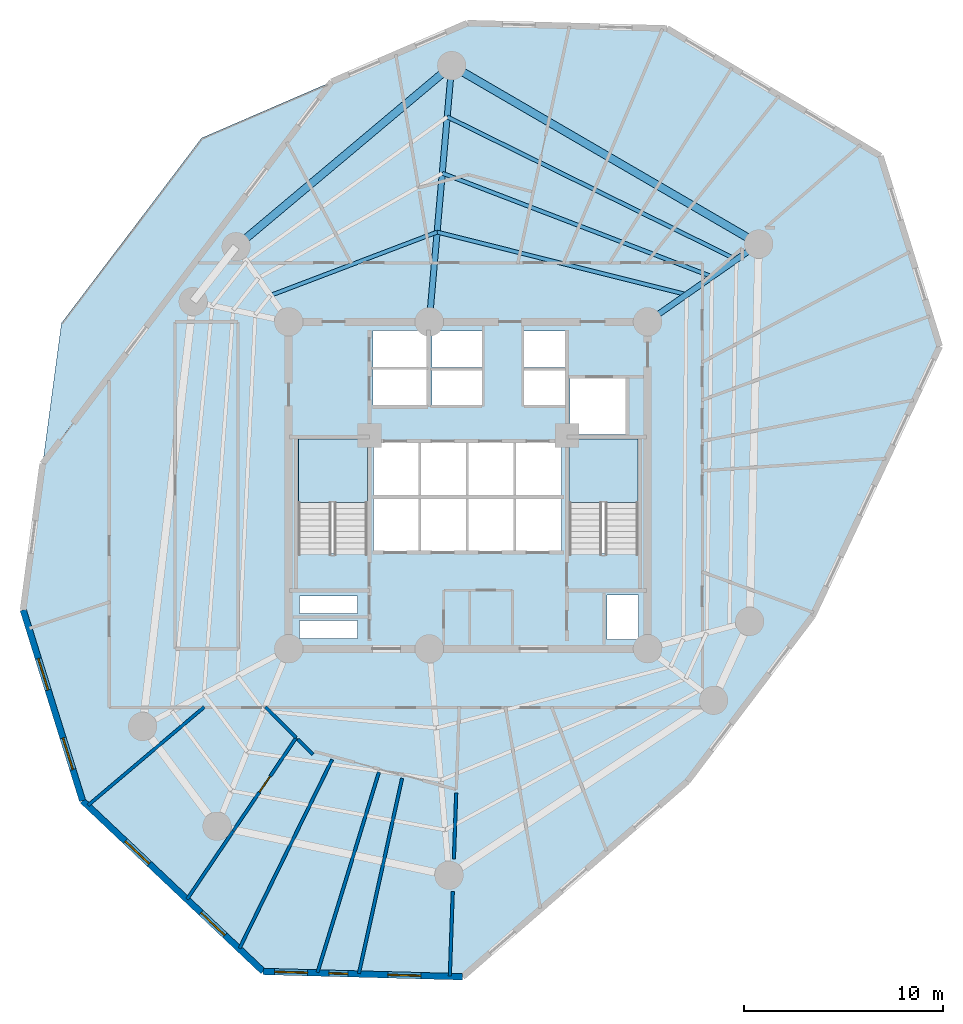
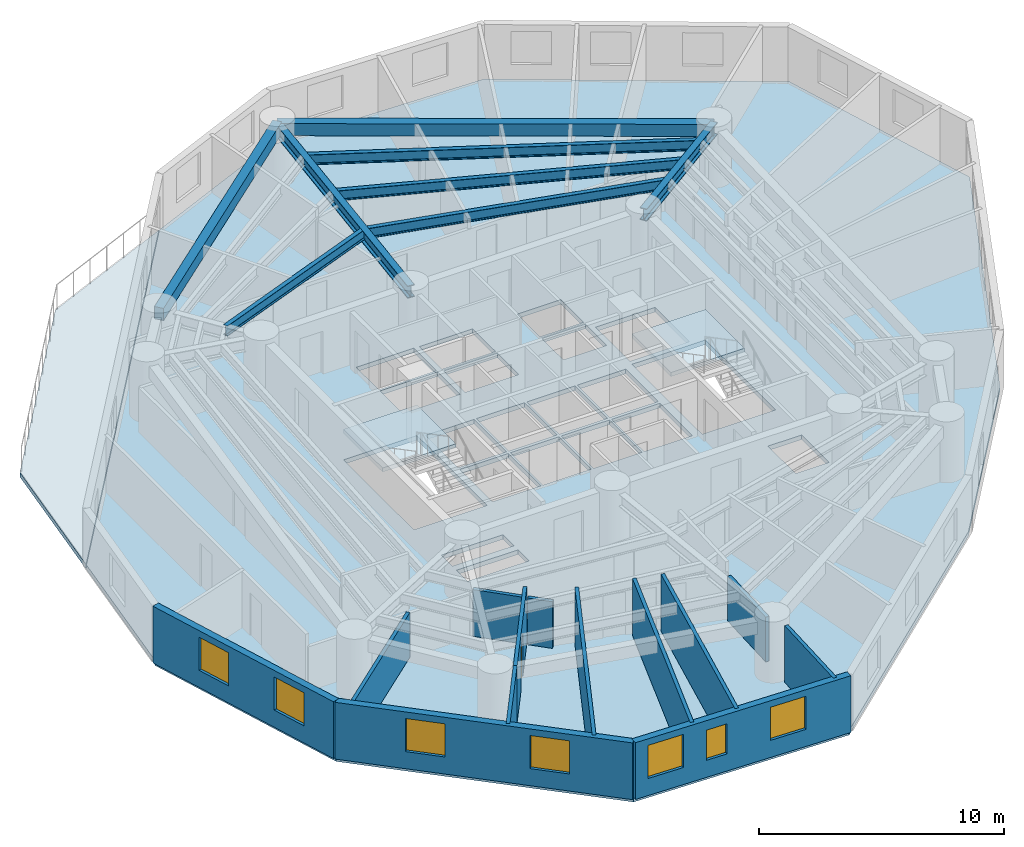
# One storey, part 2 of 9: 13 walls, 8 beams, 7 windows, 4 slabs, 1 door, 8 openings, 2 elements without a shape of their own.
"""IFC4 building model written with IfcOpenShell, lengths in metres."""

from ifc_helpers import new_model, si_unit, direction, frame, frame_2d, origin, origin_with_axes, origin_2d, place, context, subcontext, project, spatial, polyline, rectangle, i_section, outline, extrude, source, transform, mapped, material, layer, layer_set, material_profile, profile_set, type_object, element, fill, aggregate, save


model = new_model("IFC4")

# Units and contexts
model_context = context("Model", 3, precision=1e-05, world=origin(), true_north=direction((0.0, 1.0)))
body_context = subcontext(model_context, "Body", "Model", "MODEL_VIEW")
ifc_project = project(units=[si_unit("LENGTHUNIT", "METRE"), si_unit("AREAUNIT", "SQUARE_METRE"), si_unit("VOLUMEUNIT", "CUBIC_METRE"), si_unit("PLANEANGLEUNIT", "RADIAN"), si_unit("MASSUNIT", "GRAM", prefix="KILO")], contexts=[model_context])

# Site, building, storey
site_placement = place(None, origin())
site = spatial("IfcSite", under=ifc_project, at=site_placement, CompositionType="ELEMENT")
building_placement = place(site_placement, origin())
building = spatial("IfcBuilding", under=site, at=building_placement, Name="Karkom Vertical University and Central Library", CompositionType="ELEMENT")
storey_placement = place(building_placement, frame((0.0, 0.0, 96.199951171875)))
storey = spatial("IfcBuildingStorey", under=building, at=storey_placement, Name="L25", CompositionType="ELEMENT", Elevation=96.199951171875)

# Beams
ifc_material_1 = material(Name="Precast concrete C45/55", Category="concrete")
ifc_material_profile_1 = material_profile(ifc_material_1, rectangle(XDim=0.39990234375, YDim=0.60009765625, at=origin_2d()), Name="SPB-400x600")
ifc_profile_set_1 = profile_set([ifc_material_profile_1], Name="Precast concrete C45/55")
beam_type_1 = type_object("IfcBeamType", Name="STR-BM-SP-1", PredefinedType="SPANDREL", material=ifc_profile_set_1)
shared_shape_1 = source(origin_with_axes(), body_context, "Body", "SweptSolid", [
    extrude(rectangle(XDim=0.39990234375, YDim=0.60009765625, at=origin_2d()), origin(), (0.0, 0.0, 1.0), 17.808837890625),
])
beam_1_placement = place(storey_placement, frame((43.070068359375, 38.60009765625, 2.525146484375), z_axis=(-0.864512866362, 0.502610688202, 0.0), x_axis=(-0.502610688202, -0.864512866362, 0.0)))
element("IfcBeam", 1, at=beam_1_placement, inside=storey, type_object=beam_type_1, Name="Level 25 Perimeter Spandrel Beam 02", PredefinedType="SPANDREL", context=body_context, shape_type="MappedRepresentation", body=[
    mapped(shared_shape_1, transform((0.0, 0.0, 0.0), scale=1.0)),
])
shared_shape_2 = source(origin_with_axes(), body_context, "Body", "SweptSolid", [
    extrude(rectangle(XDim=0.39990234375, YDim=0.60009765625, at=origin_2d()), origin(), (0.0, 0.0, 1.0), 14.120849609375),
])
beam_2_placement = place(storey_placement, frame((27.674072265625, 47.551025390625, 2.525146484375), z_axis=(-0.765672847866, -0.643230199883, 0.0), x_axis=(0.643230199883, -0.765672847866, 0.0)))
element("IfcBeam", 2, at=beam_2_placement, inside=storey, type_object=beam_type_1, Name="Level 25 Perimeter Spandrel Beam 03", PredefinedType="SPANDREL", context=body_context, shape_type="MappedRepresentation", body=[
    mapped(shared_shape_2, transform((0.0, 0.0, 0.0), scale=1.0)),
])
ifc_material_2 = material(Name="Steel S355", Category="steel")
ifc_material_profile_2 = material_profile(ifc_material_2, i_section(OverallWidth=0.199951171875, OverallDepth=0.5, WebThickness=0.01025390625, FlangeThickness=0.01611328125, FilletRadius=0.02099609375, at=origin_2d()), Name="IPE 500")
ifc_profile_set_2 = profile_set([ifc_material_profile_2], Name="Steel S355")
beam_type_2 = type_object("IfcBeamType", Name="STR-BM-SB-IPE500", PredefinedType="BEAM", material=ifc_profile_set_2)
shared_shape_3 = source(origin_with_axes(), body_context, "Body", "SweptSolid", [
    extrude(i_section(OverallWidth=0.199951171875, OverallDepth=0.5, WebThickness=0.01025390625, FlangeThickness=0.01611328125, FilletRadius=0.02099609375, at=origin_2d()), origin(), (0.0, 0.0, 1.0), 12.892578125),
])
beam_3_placement = place(storey_placement, frame((39.449462890625, 36.06494140625, 2.574951171875), z_axis=(-0.970023194321, 0.243012350468, 0.0), x_axis=(-0.243012350468, -0.970023194321, 0.0)))
element("IfcBeam", 3, at=beam_3_placement, inside=storey, type_object=beam_type_2, Name="Level 25 Secondary Composite Floor Beam 1.02", PredefinedType="BEAM", context=body_context, shape_type="MappedRepresentation", body=[
    mapped(shared_shape_3, transform((0.0, 0.0, 0.0), scale=1.0)),
])
shared_shape_4 = source(origin_with_axes(), body_context, "Body", "SweptSolid", [
    extrude(i_section(OverallWidth=0.199951171875, OverallDepth=0.5, WebThickness=0.01025390625, FlangeThickness=0.01611328125, FilletRadius=0.02099609375, at=origin_2d()), origin(), (0.0, 0.0, 1.0), 8.950439453125),
])
beam_4_placement = place(storey_placement, frame((26.943359375, 39.197998046875, 2.574951171875), z_axis=(-0.93478901494, -0.355203459368, 0.0), x_axis=(0.355203459368, -0.93478901494, 0.0)))
element("IfcBeam", 4, at=beam_4_placement, inside=storey, type_object=beam_type_2, Name="Level 25 Secondary Composite Floor Beam 1.03", PredefinedType="BEAM", context=body_context, shape_type="MappedRepresentation", body=[
    mapped(shared_shape_4, transform((0.0, 0.0, 0.0), scale=1.0)),
])
shared_shape_5 = source(origin_with_axes(), body_context, "Body", "SweptSolid", [
    extrude(i_section(OverallWidth=0.199951171875, OverallDepth=0.5, WebThickness=0.01025390625, FlangeThickness=0.01611328125, FilletRadius=0.02099609375, at=origin_2d()), origin(), (0.0, 0.0, 1.0), 14.49072265625),
])
beam_5_placement = place(storey_placement, frame((40.730712890625, 36.9619140625, 2.574951171875), z_axis=(-0.93361673171, 0.35827335691, 0.0), x_axis=(-0.35827335691, -0.93361673171, 0.0)))
element("IfcBeam", 5, at=beam_5_placement, inside=storey, type_object=beam_type_2, Name="Level 25 Secondary Composite Floor Beam 2.02", PredefinedType="BEAM", context=body_context, shape_type="MappedRepresentation", body=[
    mapped(shared_shape_5, transform((0.0, 0.0, 0.0), scale=1.0)),
])
shared_shape_6 = source(origin_with_axes(), body_context, "Body", "SweptSolid", [
    extrude(i_section(OverallWidth=0.199951171875, OverallDepth=0.5, WebThickness=0.01025390625, FlangeThickness=0.01611328125, FilletRadius=0.02099609375, at=origin_2d()), origin(), (0.0, 0.0, 1.0), 16.177978515625),
])
beam_6_placement = place(storey_placement, frame((41.9560546875, 37.820068359375, 2.574951171875), z_axis=(-0.896709262653, 0.442620038263, 0.0), x_axis=(-0.442620038263, -0.896709262653, 0.0)))
element("IfcBeam", 6, at=beam_6_placement, inside=storey, type_object=beam_type_2, Name="Level 25 Secondary Composite Floor Beam 3.02", PredefinedType="BEAM", context=body_context, shape_type="MappedRepresentation", body=[
    mapped(shared_shape_6, transform((0.0, 0.0, 0.0), scale=1.0)),
])
ifc_material_profile_3 = material_profile(ifc_material_2, i_section(OverallWidth=0.300048828125, OverallDepth=0.60009765625, WebThickness=0.015380859375, FlangeThickness=0.030029296875, FilletRadius=0.027099609375, at=origin_2d()), Name="HE 600 B")
ifc_profile_set_3 = profile_set([ifc_material_profile_3], Name="Steel S355")
beam_type_3 = type_object("IfcBeamType", Name="STR-BM-SB-HE600", PredefinedType="USERDEFINED", material=ifc_profile_set_3)
shared_shape_7 = source(origin_with_axes(), body_context, "Body", "SweptSolid", [
    extrude(i_section(OverallWidth=0.300048828125, OverallDepth=0.60009765625, WebThickness=0.015380859375, FlangeThickness=0.030029296875, FilletRadius=0.027099609375, at=origin_2d()), origin(), (0.0, 0.0, 1.0), 6.7998046875),
])
beam_7_placement = place(storey_placement, frame((37.5, 34.699951171875, 2.525146484375), z_axis=(0.819156008334, 0.573570775066, 0.0), x_axis=(-0.573570775066, 0.819156008334, 0.0)))
element("IfcBeam", 7, at=beam_7_placement, inside=storey, type_object=beam_type_3, Name="Level 25 Radial Frame Girder 02", ObjectType="GIRDER", PredefinedType="USERDEFINED", context=body_context, shape_type="MappedRepresentation", body=[
    mapped(shared_shape_7, transform((0.0, 0.0, 0.0), scale=1.0)),
])
shared_shape_8 = source(origin_with_axes(), body_context, "Body", "SweptSolid", [
    extrude(i_section(OverallWidth=0.300048828125, OverallDepth=0.60009765625, WebThickness=0.015380859375, FlangeThickness=0.030029296875, FilletRadius=0.027099609375, at=origin_2d()), origin(), (0.0, 0.0, 1.0), 12.900146484375),
])
beam_8_placement = place(storey_placement, frame((26.550048828125, 34.699951171875, 2.525146484375), z_axis=(0.087132673751, 0.996196716098, 0.0), x_axis=(-0.996196716098, 0.087132673751, 0.0)))
element("IfcBeam", 8, at=beam_8_placement, inside=storey, type_object=beam_type_3, Name="Level 25 Radial Frame Girder 03", ObjectType="GIRDER", PredefinedType="USERDEFINED", context=body_context, shape_type="MappedRepresentation", body=[
    mapped(shared_shape_8, transform((0.0, 0.0, 0.0), scale=1.0)),
])

# Stair, slab
ifc_material_3 = material(Name="Concrete C45/55", Category="concrete")
stair_type = type_object("IfcStairType", Name="INT-STR-ST-MAIN", PredefinedType="HALF_TURN_STAIR", material=ifc_material_3)
stair_1_placement = place(storey_placement, origin())
stair_1 = element("IfcStair", 9, at=stair_1_placement, inside=storey, type_object=stair_type, Name="Level 25 Tower Protected Exit Stair ST-1", PredefinedType="HALF_TURN_STAIR")
ifc_layer_1 = layer(ifc_material_3, 0.199951171875)
ifc_layer_set_1 = layer_set([ifc_layer_1], Name="Concrete C45/55")
slab_type_1 = type_object("IfcSlabType", Name="INT-SLB-LANDING", PredefinedType="LANDING", material=ifc_layer_set_1)
slab_1_placement = place(storey_placement, frame((0.0, 0.0, 1.324951171875)))
slab_1 = element("IfcSlab", 10, at=slab_1_placement, type_object=slab_type_1, Name="ST-1 landing 1", PredefinedType="LANDING", context=body_context, shape_type="SweptSolid", body=[
    extrude(outline(polyline([(23.43994140625, 25.6298828125), (23.43994140625, 28.820068359375), (19.97998046875, 28.820068359375), (19.97998046875, 25.6298828125), (23.43994140625, 25.6298828125)])), origin(), (0.0, 0.0, 1.0), 0.2001953125),
])
aggregate(stair_1, [slab_1])

stair_2_placement = place(storey_placement, origin())
stair_2 = element("IfcStair", 11, at=stair_2_placement, inside=storey, type_object=stair_type, Name="Level 25 Tower Protected Exit Stair ST-2", PredefinedType="HALF_TURN_STAIR")
slab_2_placement = place(storey_placement, frame((0.0, 0.0, 1.324951171875)))
slab_2 = element("IfcSlab", 12, at=slab_2_placement, type_object=slab_type_1, Name="ST-2 landing 1", PredefinedType="LANDING", context=body_context, shape_type="SweptSolid", body=[
    extrude(outline(polyline([(37.02001953125, 25.6298828125), (37.02001953125, 28.820068359375), (33.56005859375, 28.820068359375), (33.56005859375, 25.6298828125), (37.02001953125, 25.6298828125)])), origin(), (0.0, 0.0, 1.0), 0.2001953125),
])
aggregate(stair_2, [slab_2])

# Slabs
ifc_layer_2 = layer(ifc_material_3, 0.22509765625)
ifc_layer_set_2 = layer_set([ifc_layer_2], Name="Concrete C45/55")
slab_type_2 = type_object("IfcSlabType", Name="STR-SLB-FLR-225", PredefinedType="FLOOR", material=ifc_layer_set_2)
slab_3_placement = place(storey_placement, frame((0.0, 0.0, -0.224853515625)))
element("IfcSlab", 13, at=slab_3_placement, inside=storey, type_object=slab_type_2, Name="Level 25 Tower Structural Floor Slab", PredefinedType="FLOOR", context=body_context, shape_type="SweptSolid", body=[
    extrude(outline(polyline([(7.16357421875, 27.585205078125), (6.18310546875, 20.24951171875), (9.15966796875, 10.68212890625), (18.222900390625, 2.115234375), (28.2177734375, 1.85009765625), (39.49951171875, 11.658203125), (45.771484375, 19.945068359375), (52.146728515625, 33.466796875), (49.176513671875, 43.013916015625), (38.47021484375, 49.40966796875), (28.4541015625, 49.675537109375), (21.660400390625, 46.739501953125), (7.16357421875, 27.585205078125)]), holes=[polyline([(19.97998046875, 23.0849609375), (23.43994140625, 23.0849609375), (23.43994140625, 28.820068359375), (19.97998046875, 28.820068359375), (19.97998046875, 23.0849609375)]), polyline([(33.56005859375, 23.0849609375), (37.02001953125, 23.0849609375), (37.02001953125, 28.820068359375), (33.56005859375, 28.820068359375), (33.56005859375, 23.0849609375)]), polyline([(23.75, 23.199951171875), (26.030029296875, 23.199951171875), (26.030029296875, 25.85009765625), (23.75, 25.85009765625), (23.75, 23.199951171875)]), polyline([(26.1298828125, 23.199951171875), (28.409912109375, 23.199951171875), (28.409912109375, 25.85009765625), (26.1298828125, 25.85009765625), (26.1298828125, 23.199951171875)]), polyline([(28.510009765625, 23.199951171875), (30.7900390625, 23.199951171875), (30.7900390625, 25.85009765625), (28.510009765625, 25.85009765625), (28.510009765625, 23.199951171875)]), polyline([(30.889892578125, 23.199951171875), (33.169921875, 23.199951171875), (33.169921875, 25.85009765625), (30.889892578125, 25.85009765625), (30.889892578125, 23.199951171875)]), polyline([(23.75, 26.0), (26.030029296875, 26.0), (26.030029296875, 28.64990234375), (23.75, 28.64990234375), (23.75, 26.0)]), polyline([(26.1298828125, 26.0), (28.409912109375, 26.0), (28.409912109375, 28.64990234375), (26.1298828125, 28.64990234375), (26.1298828125, 26.0)]), polyline([(28.510009765625, 26.0), (30.7900390625, 26.0), (30.7900390625, 28.64990234375), (28.510009765625, 28.64990234375), (28.510009765625, 26.0)]), polyline([(30.889892578125, 26.0), (33.169921875, 26.0), (33.169921875, 28.64990234375), (30.889892578125, 28.64990234375), (30.889892578125, 26.0)]), polyline([(26.679931640625, 30.5), (29.199951171875, 30.5), (29.199951171875, 32.25), (26.679931640625, 32.25), (26.679931640625, 30.5)]), polyline([(26.679931640625, 32.39990234375), (29.199951171875, 32.39990234375), (29.199951171875, 34.25), (26.679931640625, 34.25), (26.679931640625, 32.39990234375)]), polyline([(31.300048828125, 30.5), (33.35009765625, 30.5), (33.35009765625, 32.25), (31.300048828125, 32.25), (31.300048828125, 30.5)]), polyline([(31.300048828125, 32.39990234375), (33.35009765625, 32.39990234375), (33.35009765625, 34.25), (31.300048828125, 34.25), (31.300048828125, 32.39990234375)]), polyline([(23.719970703125, 30.47998046875), (26.429931640625, 30.47998046875), (26.429931640625, 32.320068359375), (23.719970703125, 32.320068359375), (23.719970703125, 30.47998046875)]), polyline([(23.719970703125, 32.419921875), (26.429931640625, 32.419921875), (26.429931640625, 34.260009765625), (23.719970703125, 34.260009765625), (23.719970703125, 32.419921875)]), polyline([(33.60009765625, 29.050048828125), (36.39990234375, 29.050048828125), (36.39990234375, 31.85009765625), (33.60009765625, 31.85009765625), (33.60009765625, 29.050048828125)]), polyline([(20.050048828125, 18.820068359375), (22.949951171875, 18.820068359375), (22.949951171875, 19.719970703125), (20.050048828125, 19.719970703125), (20.050048828125, 18.820068359375)]), polyline([(20.050048828125, 20.06005859375), (22.949951171875, 20.06005859375), (22.949951171875, 20.9599609375), (20.050048828125, 20.9599609375), (20.050048828125, 20.06005859375)]), polyline([(35.4599609375, 18.760009765625), (37.0400390625, 18.760009765625), (37.0400390625, 21.010009765625), (35.4599609375, 21.010009765625), (35.4599609375, 18.760009765625)])]), origin(), (0.0, 0.0, 1.0), 0.224853515625),
])
ifc_layer_3 = layer(ifc_material_3, 0.199951171875)
ifc_layer_set_3 = layer_set([ifc_layer_3], Name="Concrete C45/55")
slab_type_3 = type_object("IfcSlabType", Name="STR-SLB-PLN-260", PredefinedType="USERDEFINED", material=ifc_layer_set_3)
slab_4_placement = place(storey_placement, frame((0.0, 0.0, -0.224853515625)))
element("IfcSlab", 14, at=slab_4_placement, inside=storey, type_object=slab_type_3, Name="Level 25 Spiral Sky Garden Planter Terrace", ObjectType="PLANTER", PredefinedType="USERDEFINED", context=body_context, shape_type="SweptSolid", body=[
    extrude(outline(polyline([(8.105712890625, 34.635986328125), (15.130615234375, 43.917724609375), (21.623046875, 46.723388671875), (7.1689453125, 27.62548828125), (8.105712890625, 34.635986328125)])), origin(), (0.0, 0.0, 1.0), 0.224853515625),
])

# Wall, openings, windows
ifc_material_4 = material(Name="Brick-faced precast concrete C45/55", Category="masonry")
ifc_layer_4 = layer(ifc_material_4, 0.320068359375)
ifc_layer_set_4 = layer_set([ifc_layer_4], Name="Brick-faced precast concrete C45/55")
wall_type_1 = type_object("IfcWallType", Name="ENV-WL-BRK-320", PredefinedType="SOLIDWALL", material=ifc_layer_set_4)
wall_1_placement = place(storey_placement, frame((6.18310546875, 20.24951171875, 0.0), z_axis=(0.0, 0.0, 1.0), x_axis=(0.297070502101, -0.954855547599, 0.0)))
wall_1 = element("IfcWall", 15, at=wall_1_placement, inside=storey, type_object=wall_type_1, Name="Level 25 Brick-Faced Precast Facade Wall 02", PredefinedType="SOLIDWALL", context=body_context, shape_type="SweptSolid", body=[
    extrude(rectangle(XDim=10.019775390625, YDim=0.320068359375, at=frame_2d((5.009765625, 0.0))), origin(), (0.0, 0.0, 1.0), 2.824951171875),
])
opening_1_placement = place(wall_1_placement, frame((2.556396484375, 0.0, 0.85009765625)))
opening_1 = element("IfcOpeningElement", 16, at=opening_1_placement, cuts=wall_1, Name="Opening WN-06", PredefinedType="OPENING", context=body_context, shape_type="SweptSolid", body=[
    extrude(rectangle(XDim=1.64990234375, YDim=1.64990234375, at=frame_2d((0.824951171875, 0.824951171875))), frame((0.0, 0.169921875, 0.0), z_axis=(0.0, -1.0, 0.0), x_axis=(1.0, 0.0, 0.0)), (0.0, 0.0, 1.0), 0.340087890625),
])
opening_2_placement = place(wall_1_placement, frame((6.728515625, 0.0, 0.85009765625)))
opening_2 = element("IfcOpeningElement", 17, at=opening_2_placement, cuts=wall_1, Name="Opening WN-06", PredefinedType="OPENING", context=body_context, shape_type="SweptSolid", body=[
    extrude(rectangle(XDim=1.64990234375, YDim=1.64990234375, at=frame_2d((0.824951171875, 0.824951171875))), frame((0.0, 0.169921875, 0.0), z_axis=(0.0, -1.0, 0.0), x_axis=(1.0, 0.0, 0.0)), (0.0, 0.0, 1.0), 0.340087890625),
])
ifc_material_5 = material(Name="Aluminium thermal-break frame with solar-control IGU", Category="aluminium")
window_type_1 = type_object("IfcWindowType", Name="ENV-WIN-WN-06", PartitioningType="SINGLE_PANEL", PredefinedType="WINDOW", material=ifc_material_5)
shared_shape_9 = source(origin_with_axes(), body_context, "Body", "SweptSolid", [
    extrude(rectangle(XDim=1.64990234375, YDim=1.64990234375, at=frame_2d((0.824951171875, 0.824951171875))), frame((0.0, 0.030029296875, 0.0), z_axis=(0.0, -1.0, 0.0), x_axis=(1.0, 0.0, 0.0)), (0.0, 0.0, 1.0), 0.06005859375),
])
window_1_placement = place(opening_1_placement, origin())
window_1 = element("IfcWindow", 18, at=window_1_placement, inside=storey, type_object=window_type_1, Name="Level 25 Punched Window 2.1", OverallHeight=1.64990234375, OverallWidth=1.64990234375, PartitioningType="SINGLE_PANEL", PredefinedType="WINDOW", context=body_context, shape_type="MappedRepresentation", body=[
    mapped(shared_shape_9, transform((0.0, 0.0, 0.0), scale=1.0)),
])
fill(opening_1, window_1)
window_2_placement = place(opening_2_placement, origin())
window_2 = element("IfcWindow", 19, at=window_2_placement, inside=storey, type_object=window_type_1, Name="Level 25 Punched Window 2.2", OverallHeight=1.64990234375, OverallWidth=1.64990234375, PartitioningType="SINGLE_PANEL", PredefinedType="WINDOW", context=body_context, shape_type="MappedRepresentation", body=[
    mapped(shared_shape_9, transform((0.0, 0.0, 0.0), scale=1.0)),
])
fill(opening_2, window_2)

wall_2_placement = place(storey_placement, frame((9.15966796875, 10.68212890625, 0.0), z_axis=(0.0, 0.0, 1.0), x_axis=(0.726725897384, -0.686927558096, 0.0)))
wall_2 = element("IfcWall", 20, at=wall_2_placement, inside=storey, type_object=wall_type_1, Name="Level 25 Brick-Faced Precast Facade Wall 03", PredefinedType="SOLIDWALL", context=body_context, shape_type="SweptSolid", body=[
    extrude(rectangle(XDim=12.471435546875, YDim=0.320068359375, at=frame_2d((6.23583984375, 0.0))), origin(), (0.0, 0.0, 1.0), 2.824951171875),
])
opening_3_placement = place(wall_2_placement, frame((2.9560546875, 0.0, 0.85009765625)))
opening_3 = element("IfcOpeningElement", 21, at=opening_3_placement, cuts=wall_2, Name="Opening WN-06", PredefinedType="OPENING", context=body_context, shape_type="SweptSolid", body=[
    extrude(rectangle(XDim=1.64990234375, YDim=1.64990234375, at=frame_2d((0.824951171875, 0.824951171875))), frame((0.0, 0.169921875, 0.0), z_axis=(0.0, -1.0, 0.0), x_axis=(1.0, 0.0, 0.0)), (0.0, 0.0, 1.0), 0.340087890625),
])
opening_4_placement = place(wall_2_placement, frame((8.173095703125, 0.0, 0.85009765625)))
opening_4 = element("IfcOpeningElement", 22, at=opening_4_placement, cuts=wall_2, Name="Opening WN-06", PredefinedType="OPENING", context=body_context, shape_type="SweptSolid", body=[
    extrude(rectangle(XDim=1.64990234375, YDim=1.64990234375, at=frame_2d((0.824951171875, 0.824951171875))), frame((0.0, 0.169921875, 0.0), z_axis=(0.0, -1.0, 0.0), x_axis=(1.0, 0.0, 0.0)), (0.0, 0.0, 1.0), 0.340087890625),
])
window_3_placement = place(opening_3_placement, origin())
window_3 = element("IfcWindow", 23, at=window_3_placement, inside=storey, type_object=window_type_1, Name="Level 25 Punched Window 3.1", OverallHeight=1.64990234375, OverallWidth=1.64990234375, PartitioningType="SINGLE_PANEL", PredefinedType="WINDOW", context=body_context, shape_type="MappedRepresentation", body=[
    mapped(shared_shape_9, transform((0.0, 0.0, 0.0), scale=1.0)),
])
fill(opening_3, window_3)
window_4_placement = place(opening_4_placement, origin())
window_4 = element("IfcWindow", 24, at=window_4_placement, inside=storey, type_object=window_type_1, Name="Level 25 Punched Window 3.2", OverallHeight=1.64990234375, OverallWidth=1.64990234375, PartitioningType="SINGLE_PANEL", PredefinedType="WINDOW", context=body_context, shape_type="MappedRepresentation", body=[
    mapped(shared_shape_9, transform((0.0, 0.0, 0.0), scale=1.0)),
])
fill(opening_4, window_4)

wall_3_placement = place(storey_placement, frame((18.222900390625, 2.115234375, 0.0), z_axis=(0.0, 0.0, 1.0), x_axis=(0.999648337499, -0.026517943636, 0.0)))
wall_3 = element("IfcWall", 25, at=wall_3_placement, inside=storey, type_object=wall_type_1, Name="Level 25 Brick-Faced Precast Facade Wall 04", PredefinedType="SOLIDWALL", context=body_context, shape_type="SweptSolid", body=[
    extrude(rectangle(XDim=9.998291015625, YDim=0.320068359375, at=frame_2d((4.9990234375, 0.0))), origin(), (0.0, 0.0, 1.0), 2.824951171875),
])
opening_5_placement = place(wall_3_placement, frame((0.5712890625, 0.0, 0.85009765625)))
opening_5 = element("IfcOpeningElement", 26, at=opening_5_placement, cuts=wall_3, Name="Opening WN-06", PredefinedType="OPENING", context=body_context, shape_type="SweptSolid", body=[
    extrude(rectangle(XDim=1.64990234375, YDim=1.64990234375, at=frame_2d((0.824951171875, 0.824951171875))), frame((0.0, 0.169921875, 0.0), z_axis=(0.0, -1.0, 0.0), x_axis=(1.0, 0.0, 0.0)), (0.0, 0.0, 1.0), 0.340087890625),
])
opening_6_placement = place(wall_3_placement, frame((3.2939453125, 0.0, 0.85009765625)))
opening_6 = element("IfcOpeningElement", 27, at=opening_6_placement, cuts=wall_3, Name="Opening WN-12", PredefinedType="OPENING", context=body_context, shape_type="SweptSolid", body=[
    extrude(rectangle(XDim=0.949951171875, YDim=1.5, at=frame_2d((0.47509765625, 0.75))), frame((0.0, 0.169921875, 0.0), z_axis=(0.0, -1.0, 0.0), x_axis=(1.0, 0.0, 0.0)), (0.0, 0.0, 1.0), 0.340087890625),
])
opening_7_placement = place(wall_3_placement, frame((6.2578125, 0.0, 0.85009765625)))
opening_7 = element("IfcOpeningElement", 28, at=opening_7_placement, cuts=wall_3, Name="Opening WN-06", PredefinedType="OPENING", context=body_context, shape_type="SweptSolid", body=[
    extrude(rectangle(XDim=1.64990234375, YDim=1.64990234375, at=frame_2d((0.824951171875, 0.824951171875))), frame((0.0, 0.169921875, 0.0), z_axis=(0.0, -1.0, 0.0), x_axis=(1.0, 0.0, 0.0)), (0.0, 0.0, 1.0), 0.340087890625),
])
window_5_placement = place(opening_5_placement, origin())
window_5 = element("IfcWindow", 29, at=window_5_placement, inside=storey, type_object=window_type_1, Name="Level 25 Punched Window 4.1", OverallHeight=1.64990234375, OverallWidth=1.64990234375, PartitioningType="SINGLE_PANEL", PredefinedType="WINDOW", context=body_context, shape_type="MappedRepresentation", body=[
    mapped(shared_shape_9, transform((0.0, 0.0, 0.0), scale=1.0)),
])
fill(opening_5, window_5)
window_6_placement = place(opening_7_placement, origin())
window_6 = element("IfcWindow", 30, at=window_6_placement, inside=storey, type_object=window_type_1, Name="Level 25 Punched Window 4.3", OverallHeight=1.64990234375, OverallWidth=1.64990234375, PartitioningType="SINGLE_PANEL", PredefinedType="WINDOW", context=body_context, shape_type="MappedRepresentation", body=[
    mapped(shared_shape_9, transform((0.0, 0.0, 0.0), scale=1.0)),
])
fill(opening_7, window_6)
window_type_2 = type_object("IfcWindowType", Name="ENV-WIN-WN-12", PartitioningType="SINGLE_PANEL", PredefinedType="WINDOW", material=ifc_material_5)
shared_shape_10 = source(origin_with_axes(), body_context, "Body", "SweptSolid", [
    extrude(rectangle(XDim=0.949951171875, YDim=1.5, at=frame_2d((0.47509765625, 0.75))), frame((0.0, 0.030029296875, 0.0), z_axis=(0.0, -1.0, 0.0), x_axis=(1.0, 0.0, 0.0)), (0.0, 0.0, 1.0), 0.06005859375),
])
window_7_placement = place(opening_6_placement, origin())
window_7 = element("IfcWindow", 31, at=window_7_placement, inside=storey, type_object=window_type_2, Name="Level 25 Punched Window 4.2", OverallHeight=1.5, OverallWidth=0.949951171875, PartitioningType="SINGLE_PANEL", PredefinedType="WINDOW", context=body_context, shape_type="MappedRepresentation", body=[
    mapped(shared_shape_10, transform((0.0, 0.0, 0.0), scale=1.0)),
])
fill(opening_6, window_7)

# Walls
ifc_material_6 = material(Name="Insulated metal-stud drywall 160mm", Category="gypsum")
ifc_layer_5 = layer(ifc_material_6, 0.159912109375)
ifc_layer_set_5 = layer_set([ifc_layer_5], Name="Insulated metal-stud drywall 160mm")
wall_type_2 = type_object("IfcWallType", Name="INT-WL-COR-160", PredefinedType="PARTITIONING", material=ifc_layer_set_5)
wall_4_placement = place(storey_placement, frame((21.68115234375, 12.744384765625, 0.0), z_axis=(0.0, 0.0, 1.0), x_axis=(-0.440627063777, -0.897690253187, 0.0)))
element("IfcWall", 32, at=wall_4_placement, inside=storey, type_object=wall_type_2, Name="Level 25 Interior Partition Wall L25-PW-006", PredefinedType="PARTITIONING", context=body_context, shape_type="SweptSolid", body=[
    extrude(rectangle(XDim=10.54638671875, YDim=0.159912109375, at=frame_2d((5.273193359375, 0.0))), origin(), (0.0, 0.0, 1.0), 2.824951171875),
])
wall_5_placement = place(storey_placement, frame((24.0263671875, 12.115966796875, 0.0), z_axis=(0.0, 0.0, 1.0), x_axis=(-0.293181178855, -0.956056900171, 0.0)))
element("IfcWall", 33, at=wall_5_placement, inside=storey, type_object=wall_type_2, Name="Level 25 Interior Partition Wall L25-PW-010", PredefinedType="PARTITIONING", context=body_context, shape_type="SweptSolid", body=[
    extrude(rectangle(XDim=10.50732421875, YDim=0.159912109375, at=frame_2d((5.253662109375, 0.0))), origin(), (0.0, 0.0, 1.0), 2.824951171875),
])
wall_6_placement = place(storey_placement, frame((25.186767578125, 11.804931640625, 0.0), z_axis=(0.0, 0.0, 1.0), x_axis=(-0.216053884033, -0.976381441443, 0.0)))
element("IfcWall", 34, at=wall_6_placement, inside=storey, type_object=wall_type_2, Name="Level 25 Interior Partition Wall L25-PW-013", PredefinedType="PARTITIONING", context=body_context, shape_type="SweptSolid", body=[
    extrude(rectangle(XDim=10.027587890625, YDim=0.159912109375, at=frame_2d((5.013671875, 0.0))), origin(), (0.0, 0.0, 1.0), 2.824951171875),
])
wall_7_placement = place(storey_placement, frame((15.262451171875, 15.379150390625, 0.0), z_axis=(0.0, 0.0, 1.0), x_axis=(-0.763411780434, -0.645912109729, 0.0)))
element("IfcWall", 35, at=wall_7_placement, inside=storey, type_object=wall_type_2, Name="Level 25 Interior Partition Wall L25-PW-002", PredefinedType="PARTITIONING", context=body_context, shape_type="SweptSolid", body=[
    extrude(rectangle(XDim=7.627685546875, YDim=0.159912109375, at=frame_2d((3.81396484375, 0.0))), origin(), (0.0, 0.0, 1.0), 2.22509765625),
])

# Wall, opening, door
wall_8_placement = place(storey_placement, frame((19.87451171875, 13.8388671875, 0.0), z_axis=(0.0, 0.0, 1.0), x_axis=(-0.559775304188, -0.82864444053, 0.0)))
wall_8 = element("IfcWall", 36, at=wall_8_placement, inside=storey, type_object=wall_type_2, Name="Level 25 Interior Partition Wall L25-PW-003", PredefinedType="PARTITIONING", context=body_context, shape_type="SweptSolid", body=[
    extrude(rectangle(XDim=5.6279296875, YDim=0.159912109375, at=frame_2d((2.81396484375, 0.0))), origin(), (0.0, 0.0, 1.0), 2.824951171875),
])
opening_8_placement = place(wall_8_placement, frame((2.339111328125, 0.0, 0.0)))
opening_8 = element("IfcOpeningElement", 37, at=opening_8_placement, cuts=wall_8, Name="Opening D-RM1", PredefinedType="OPENING", context=body_context, shape_type="SweptSolid", body=[
    extrude(rectangle(XDim=0.949951171875, YDim=2.14990234375, at=frame_2d((0.47509765625, 1.074951171875))), frame((0.0, 0.08984375, 0.0), z_axis=(0.0, -1.0, 0.0), x_axis=(1.0, 0.0, 0.0)), (0.0, 0.0, 1.0), 0.179931640625),
])
ifc_material_7 = material(Name="Solid-core oak veneer door", Category="wood")
door_type = type_object("IfcDoorType", Name="INT-DR-RM1", OperationType="NOTDEFINED", PredefinedType="DOOR", material=ifc_material_7)
shared_shape_11 = source(origin_with_axes(), body_context, "Body", "SweptSolid", [
    extrude(rectangle(XDim=0.949951171875, YDim=2.14990234375, at=frame_2d((0.47509765625, 1.074951171875))), frame((0.0, 0.02490234375, 0.0), z_axis=(0.0, -1.0, 0.0), x_axis=(1.0, 0.0, 0.0)), (0.0, 0.0, 1.0), 0.050048828125),
])
door_placement = place(opening_8_placement, origin())
door = element("IfcDoor", 38, at=door_placement, inside=storey, type_object=door_type, Name="Level 25 Room Entry Door 030", OperationType="SINGLE_SWING_RIGHT", OverallHeight=2.14990234375, OverallWidth=0.949951171875, PredefinedType="DOOR", context=body_context, shape_type="MappedRepresentation", body=[
    mapped(shared_shape_11, transform((0.0, 0.0, 0.0), scale=1.0)),
])
fill(opening_8, door)

# Walls
wall_9_placement = place(storey_placement, frame((27.728271484375, 6.123046875, 0.0), z_axis=(0.0, 0.0, 1.0), x_axis=(-0.03488729491, -0.99939125304, 0.0)))
element("IfcWall", 39, at=wall_9_placement, inside=storey, type_object=wall_type_2, Name="Level 25 Interior Partition Wall L25-PW-014", PredefinedType="PARTITIONING", context=body_context, shape_type="SweptSolid", body=[
    extrude(rectangle(XDim=4.23388671875, YDim=0.159912109375, at=frame_2d((2.116943359375, 0.0))), origin(), (0.0, 0.0, 1.0), 2.824951171875),
])
wall_10_placement = place(storey_placement, frame((16.72119140625, 9.171142578125, 0.0), z_axis=(0.0, 0.0, 1.0), x_axis=(-0.559768724879, -0.828648885022, 0.0)))
element("IfcWall", 40, at=wall_10_placement, inside=storey, type_object=wall_type_2, Name="Level 25 Interior Partition Wall L25-PW-004", PredefinedType="PARTITIONING", context=body_context, shape_type="SweptSolid", body=[
    extrude(rectangle(XDim=4.1376953125, YDim=0.159912109375, at=frame_2d((2.06884765625, 0.0))), origin(), (0.0, 0.0, 1.0), 2.824951171875),
])
wall_11_placement = place(storey_placement, frame((27.9013671875, 11.07763671875, 0.0), z_axis=(0.0, 0.0, 1.0), x_axis=(-0.034890726755, -0.999391133234, 0.0)))
element("IfcWall", 41, at=wall_11_placement, inside=storey, type_object=wall_type_2, Name="Level 25 Interior Partition Wall L25-PW-015", PredefinedType="PARTITIONING", context=body_context, shape_type="SweptSolid", body=[
    extrude(rectangle(XDim=3.316650390625, YDim=0.159912109375, at=frame_2d((1.658203125, 0.0))), origin(), (0.0, 0.0, 1.0), 2.22509765625),
])
wall_12_placement = place(storey_placement, frame((18.331787109375, 15.3818359375, 0.0), z_axis=(0.0, 0.0, 1.0), x_axis=(0.707050832555, -0.707162725391, 0.0)))
element("IfcWall", 42, at=wall_12_placement, inside=storey, type_object=wall_type_2, Name="Level 25 Interior Partition Wall L25-PW-005", PredefinedType="PARTITIONING", context=body_context, shape_type="SweptSolid", body=[
    extrude(rectangle(XDim=2.181884765625, YDim=0.159912109375, at=frame_2d((1.0908203125, 0.0))), origin(), (0.0, 0.0, 1.0), 2.324951171875),
])
wall_13_placement = place(storey_placement, frame((19.9609375, 13.75244140625, 0.0), z_axis=(0.0, 0.0, 1.0), x_axis=(0.707106781187, -0.707106781187, 0.0)))
element("IfcWall", 43, at=wall_13_placement, inside=storey, type_object=wall_type_2, Name="Level 25 Interior Partition Wall L25-PW-007", PredefinedType="PARTITIONING", context=body_context, shape_type="SweptSolid", body=[
    extrude(rectangle(XDim=1.05712890625, YDim=0.159912109375, at=frame_2d((0.528564453125, 0.0))), origin(), (0.0, 0.0, 1.0), 2.324951171875),
])

save(model, "model.ifc")
